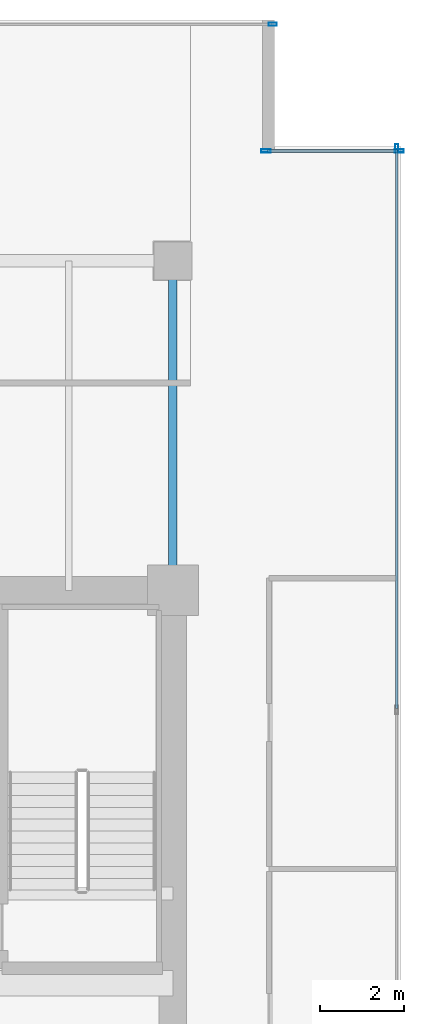
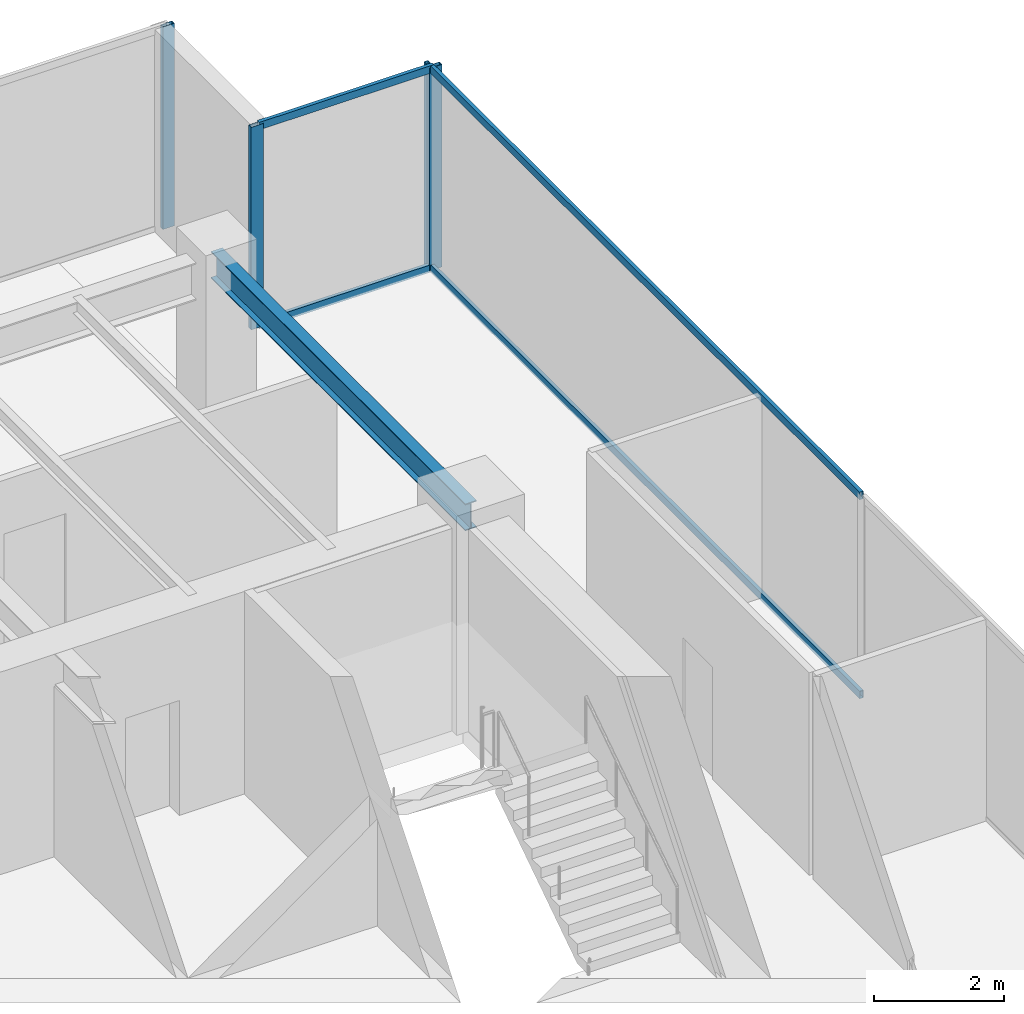
# One storey, part 23 of 33: 8 members, 1 beam, 3 elements without a shape of their own.
"""IFC4 building model written with IfcOpenShell, lengths in metres."""

from ifc_helpers import new_model, si_unit, direction, frame, origin, origin_2d, place, context, subcontext, project, spatial, hollow_rectangle, i_section, extrude, source, transform, mapped, material, layer, layer_set, material_profile, profile_set, type_object, type_shapes, element, aggregate, save


model = new_model("IFC4")

# Units and contexts
model_context = context("Model", 3, precision=1e-05, world=origin(), true_north=direction((0.0, 1.0)))
body_context = subcontext(model_context, "Body", "Model", "MODEL_VIEW")
ifc_project = project(units=[si_unit("LENGTHUNIT", "METRE"), si_unit("AREAUNIT", "SQUARE_METRE"), si_unit("VOLUMEUNIT", "CUBIC_METRE"), si_unit("PLANEANGLEUNIT", "RADIAN"), si_unit("MASSUNIT", "GRAM", prefix="KILO")], contexts=[model_context])

# Site, building, storey
site_placement = place(None, origin())
site = spatial("IfcSite", under=ifc_project, at=site_placement, CompositionType="ELEMENT")
building_placement = place(site_placement, origin())
building = spatial("IfcBuilding", under=site, at=building_placement, Name="Haelvirn Gate Laboratories", CompositionType="ELEMENT")
storey_placement = place(building_placement, frame((0.0, 0.0, 166.60009765625)))
storey = spatial("IfcBuildingStorey", under=building, at=storey_placement, Name="L40", CompositionType="ELEMENT", Elevation=166.60009765625)

# Beam
ifc_material_1 = material(Name="Steel SM355", Category="steel")
ifc_material_profile_1 = material_profile(ifc_material_1, i_section(OverallWidth=0.199951171875, OverallDepth=0.5, WebThickness=0.010009765625, FlangeThickness=0.01611328125, at=origin_2d()), Name="H-500x200x10x16")
ifc_profile_set_1 = profile_set([ifc_material_profile_1], Name="Steel SM355")
beam_type = type_object("IfcBeamType", Name="BM-SP-500", PredefinedType="SPANDREL", material=ifc_profile_set_1)
shared_shape_1 = source(origin(), body_context, "Body", "SweptSolid", [
    extrude(i_section(OverallWidth=0.199951171875, OverallDepth=0.5, WebThickness=0.010009765625, FlangeThickness=0.01611328125, at=origin_2d()), origin(), (0.0, 0.0, 1.0), 7.800048828125),
])
type_shapes(beam_type, [shared_shape_1])
beam_placement = place(storey_placement, frame((67.39990234375, 33.800048828125, 3.539794921875), z_axis=(0.0, 1.0, 0.0), x_axis=(-1.0, 0.0, 0.0)))
element("IfcBeam", 1, at=beam_placement, inside=storey, type_object=beam_type, Name="L40 Perimeter Spandrel X67.4 (33.8-41.6)", PredefinedType="SPANDREL", context=body_context, shape_type="MappedRepresentation", body=[
    mapped(shared_shape_1, transform((0.0, 0.0, 0.0), scale=1.0)),
])

# Curtain wall, members
ifc_material_2 = material(Name="Anodised bronze unitised aluminium & triple low-E glass", Category="aluminium")
ifc_layer_1 = layer(ifc_material_2, 0.181884765625, Name="CW-SYS-5")
ifc_layer_set_1 = layer_set([ifc_layer_1], Name="Anodised bronze unitised aluminium & triple low-E glass")
curtain_wall_type_1 = type_object("IfcCurtainWallType", Name="CW-SYS-5", PredefinedType="NOTDEFINED", material=ifc_layer_set_1)
curtain_wall_1_placement = place(storey_placement, origin())
curtain_wall_1 = element("IfcCurtainWall", 2, at=curtain_wall_1_placement, inside=storey, type_object=curtain_wall_type_1, Name="L40 Unitised Curtain Wall CW-L40-P0-E08-1", PredefinedType="NOTDEFINED")
ifc_material_3 = material(Name="Extruded aluminium 6063-T6 (anodised bronze)", Category="aluminium")
ifc_material_profile_2 = material_profile(ifc_material_3, hollow_rectangle(XDim=0.06494140625, YDim=0.139892578125, WallThickness=0.00390625, at=origin_2d()), Name="CWT-140x65x4")
ifc_profile_set_2 = profile_set([ifc_material_profile_2], Name="Extruded aluminium 6063-T6 (anodised bronze)")
member_type_1 = type_object("IfcMemberType", Name="CWT-T140", PredefinedType="USERDEFINED", material=ifc_profile_set_2)
shared_shape_2 = source(origin(), body_context, "Body", "SweptSolid", [
    extrude(hollow_rectangle(XDim=0.06494140625, YDim=0.139892578125, WallThickness=0.00390625, at=origin_2d()), origin(), (0.0, 0.0, 1.0), 3.080078125),
])
member_1_placement = place(storey_placement, frame((69.639892578125, 44.199951171875, 0.032470703125), z_axis=(1.0, 0.0, 0.0), x_axis=(0.0, 1.0, 0.0)))
member_1 = element("IfcMember", 3, at=member_1_placement, type_object=member_type_1, Name="CW5 transom 1.1", ObjectType="TRANSOM", PredefinedType="USERDEFINED", context=body_context, shape_type="MappedRepresentation", body=[
    mapped(shared_shape_2, transform((0.0, 0.0, 0.0), scale=1.0)),
])
member_2_placement = place(storey_placement, frame((69.639892578125, 44.199951171875, 3.75732421875), z_axis=(1.0, 0.0, 0.0), x_axis=(0.0, 1.0, 0.0)))
member_2 = element("IfcMember", 4, at=member_2_placement, type_object=member_type_1, Name="CW5 transom 1.2", ObjectType="TRANSOM", PredefinedType="USERDEFINED", context=body_context, shape_type="MappedRepresentation", body=[
    mapped(shared_shape_2, transform((0.0, 0.0, 0.0), scale=1.0)),
])

ifc_layer_2 = layer(ifc_material_2, 0.179931640625, Name="CW-SYS-3")
ifc_layer_set_2 = layer_set([ifc_layer_2], Name="Anodised bronze unitised aluminium & triple low-E glass")
curtain_wall_type_2 = type_object("IfcCurtainWallType", Name="CW-SYS-3", PredefinedType="NOTDEFINED", material=ifc_layer_set_2)
curtain_wall_2_placement = place(storey_placement, origin())
curtain_wall_2 = element("IfcCurtainWall", 5, at=curtain_wall_2_placement, inside=storey, type_object=curtain_wall_type_2, Name="L40 Unitised Curtain Wall CW-L40-P0-E07", PredefinedType="NOTDEFINED")
shared_shape_3 = source(origin(), body_context, "Body", "SweptSolid", [
    extrude(hollow_rectangle(XDim=0.06494140625, YDim=0.139892578125, WallThickness=0.00390625, at=origin_2d()), origin(), (0.0, 0.0, 1.0), 13.220947265625),
])
type_shapes(member_type_1, [shared_shape_2, shared_shape_3])
member_3_placement = place(storey_placement, frame((72.699951171875, 31.004150390625, 0.032470703125), z_axis=(0.0, 1.0, 0.0), x_axis=(-1.0, 0.0, 0.0)))
member_3 = element("IfcMember", 6, at=member_3_placement, type_object=member_type_1, Name="CW3 transom 3.1", ObjectType="TRANSOM", PredefinedType="USERDEFINED", context=body_context, shape_type="MappedRepresentation", body=[
    mapped(shared_shape_3, transform((0.0, 0.0, 0.0), scale=1.0)),
])
member_4_placement = place(storey_placement, frame((72.699951171875, 31.004150390625, 3.75732421875), z_axis=(0.0, 1.0, 0.0), x_axis=(-1.0, 0.0, 0.0)))
member_4 = element("IfcMember", 7, at=member_4_placement, type_object=member_type_1, Name="CW3 transom 3.2", ObjectType="TRANSOM", PredefinedType="USERDEFINED", context=body_context, shape_type="MappedRepresentation", body=[
    mapped(shared_shape_3, transform((0.0, 0.0, 0.0), scale=1.0)),
])
ifc_material_profile_3 = material_profile(ifc_material_3, hollow_rectangle(XDim=0.074951171875, YDim=0.199951171875, WallThickness=0.0048828125, at=origin_2d()), Name="CWM-200x75x5")
ifc_profile_set_3 = profile_set([ifc_material_profile_3], Name="Extruded aluminium 6063-T6 (anodised bronze)")
member_type_2 = type_object("IfcMemberType", Name="CWM-T200", PredefinedType="MULLION", material=ifc_profile_set_3)
shared_shape_4 = source(origin(), body_context, "Body", "SweptSolid", [
    extrude(hollow_rectangle(XDim=0.074951171875, YDim=0.199951171875, WallThickness=0.0048828125, at=origin_2d()), origin(), (0.0, 0.0, 1.0), 3.789794921875),
])
type_shapes(member_type_2, [shared_shape_4])
member_5_placement = place(storey_placement, frame((72.699951171875, 44.262451171875, 0.0), z_axis=(0.0, 0.0, 1.0), x_axis=(-1.0, 0.0, 0.0)))
member_5 = element("IfcMember", 8, at=member_5_placement, type_object=member_type_2, Name="CW3 mullion 4", PredefinedType="MULLION", context=body_context, shape_type="MappedRepresentation", body=[
    mapped(shared_shape_4, transform((0.0, 0.0, 0.0), scale=1.0)),
])
aggregate(curtain_wall_2, [member_5, member_3, member_4])

# Curtain wall, member
curtain_wall_3_placement = place(storey_placement, origin())
curtain_wall_3 = element("IfcCurtainWall", 9, at=curtain_wall_3_placement, inside=storey, type_object=curtain_wall_type_2, Name="L40 Unitised Curtain Wall CW-L40-P0-E10-1", PredefinedType="NOTDEFINED")
member_6_placement = place(storey_placement, frame((69.762451171875, 47.199951171875, 0.0), z_axis=(0.0, 0.0, 1.0), x_axis=(0.0, 1.0, 0.0)))
member_6 = element("IfcMember", 10, at=member_6_placement, type_object=member_type_2, Name="CW3 mullion 3", PredefinedType="MULLION", context=body_context, shape_type="MappedRepresentation", body=[
    mapped(shared_shape_4, transform((0.0, 0.0, 0.0), scale=1.0)),
])
aggregate(curtain_wall_3, [member_6])

# Member
ifc_material_profile_4 = material_profile(ifc_material_3, hollow_rectangle(XDim=0.080078125, YDim=0.219970703125, WallThickness=0.006103515625, at=origin_2d()), Name="CWM-220x80x6")
ifc_profile_set_4 = profile_set([ifc_material_profile_4], Name="Extruded aluminium 6063-T6 (anodised bronze)")
member_type_3 = type_object("IfcMemberType", Name="CWM-T220", PredefinedType="MULLION", material=ifc_profile_set_4)
shared_shape_5 = source(origin(), body_context, "Body", "SweptSolid", [
    extrude(hollow_rectangle(XDim=0.080078125, YDim=0.219970703125, WallThickness=0.006103515625, at=origin_2d()), origin(), (0.0, 0.0, 1.0), 3.789794921875),
])
type_shapes(member_type_3, [shared_shape_5])
member_7_placement = place(storey_placement, frame((69.60009765625, 44.199951171875, 0.0), z_axis=(0.0, 0.0, 1.0), x_axis=(0.0, 1.0, 0.0)))
member_7 = element("IfcMember", 11, at=member_7_placement, type_object=member_type_3, Name="CW5 mullion 1", PredefinedType="MULLION", context=body_context, shape_type="MappedRepresentation", body=[
    mapped(shared_shape_5, transform((0.0, 0.0, 0.0), scale=1.0)),
])

member_8_placement = place(storey_placement, frame((72.760009765625, 44.199951171875, 0.0), z_axis=(0.0, 0.0, 1.0), x_axis=(0.0, 1.0, 0.0)))
member_8 = element("IfcMember", 12, at=member_8_placement, type_object=member_type_3, Name="CW5 mullion 2", PredefinedType="MULLION", context=body_context, shape_type="MappedRepresentation", body=[
    mapped(shared_shape_5, transform((0.0, 0.0, 0.0), scale=1.0)),
])

aggregate(curtain_wall_1, [member_7, member_8, member_1, member_2])

save(model, "model.ifc")
